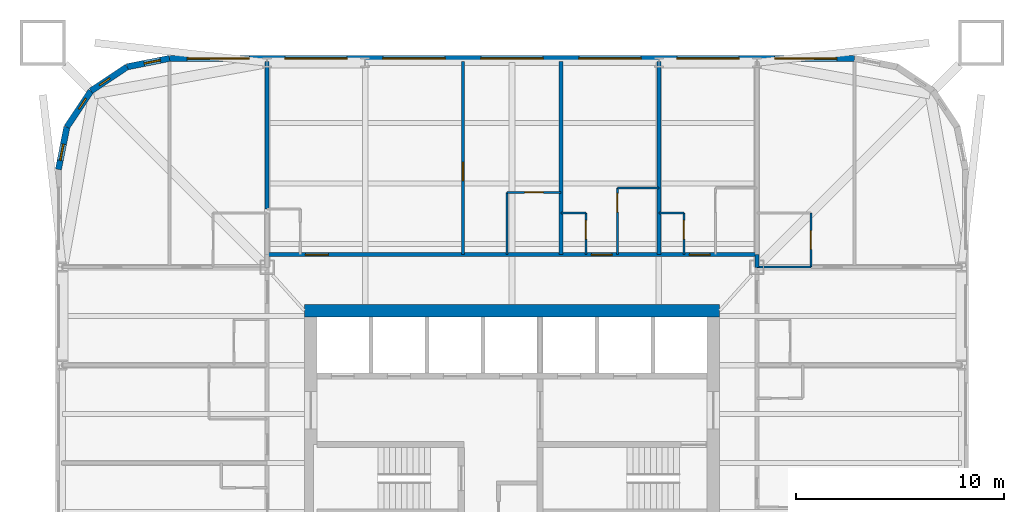
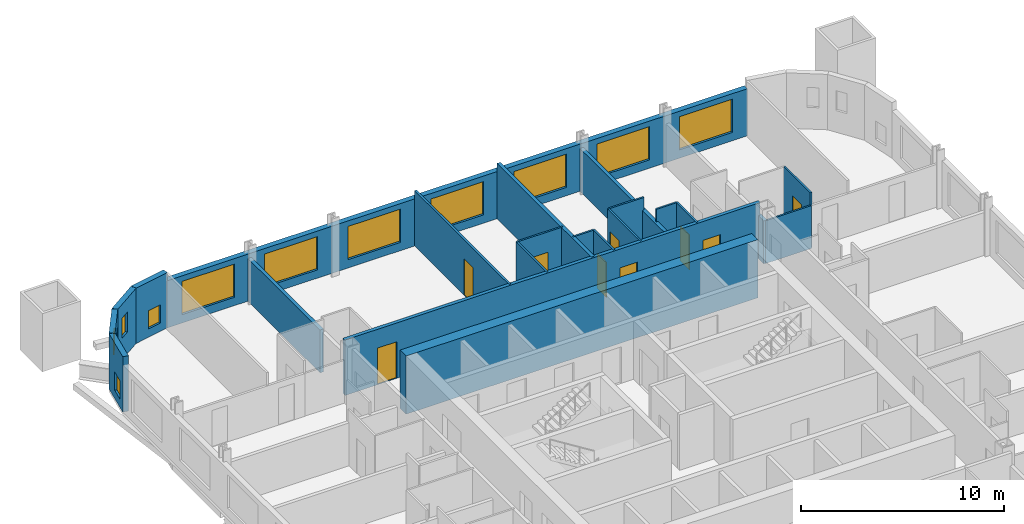
# One storey, part 7 of 9: 22 walls, 11 windows, 9 doors, 20 openings.
"""IFC4 building model written with IfcOpenShell, lengths in metres."""

from ifc_helpers import new_model, si_unit, direction, frame, frame_2d, origin, place, context, subcontext, project, spatial, rectangle, extrude, material, layer, layer_set, type_object, element, fill, save


model = new_model("IFC4")

# Units and contexts
model_context = context("Model", 3, precision=1e-05, world=origin(), true_north=direction((0.0, 1.0)))
body_context = subcontext(model_context, "Body", "Model", "MODEL_VIEW")
ifc_project = project(units=[si_unit("LENGTHUNIT", "METRE"), si_unit("AREAUNIT", "SQUARE_METRE"), si_unit("VOLUMEUNIT", "CUBIC_METRE"), si_unit("PLANEANGLEUNIT", "RADIAN"), si_unit("MASSUNIT", "GRAM", prefix="KILO")], contexts=[model_context])

# Site, building, storey
site_placement = place(None, origin())
site = spatial("IfcSite", under=ifc_project, at=site_placement, CompositionType="ELEMENT")
building_placement = place(site_placement, origin())
building = spatial("IfcBuilding", under=site, at=building_placement, Name="Turquesa Mirador Hotel Tower", CompositionType="ELEMENT")
storey_placement = place(building_placement, frame((0.0, 0.0, 28.5)))
storey = spatial("IfcBuildingStorey", under=building, at=storey_placement, Name="L06", CompositionType="ELEMENT", Elevation=28.5)

# Walls
ifc_material_1 = material(Name="Gypsum board on steel studs", Category="steel")
ifc_layer_1 = layer(ifc_material_1, 0.10009765625)
ifc_layer_set_1 = layer_set([ifc_layer_1], Name="BATHROOM WALL 100")
wall_type_1 = type_object("IfcWallType", Name="BATHROOM WALL 100", PredefinedType="PARTITIONING", material=ifc_layer_set_1)
wall_1_placement = place(storey_placement, frame((66.800048828125, 56.800048828125, 0.0), z_axis=(0.0, 0.0, 1.0), x_axis=(1.0, 0.0, 0.0)))
element("IfcWall", 1, at=wall_1_placement, inside=storey, type_object=wall_type_1, Name="Partition L06 025", PredefinedType="PARTITIONING", context=body_context, shape_type="SweptSolid", body=[
    extrude(rectangle(XDim=2.599853515625, YDim=0.10009765625, at=frame_2d((1.2998046875, 0.0))), origin(), (0.0, 0.0, 1.0), 2.572998046875),
])
for number, where, z_axis, x_axis, name in (
    (2, (57.360107421875, 59.39990234375, 0.0), (0.0, 0.0, 1.0), (1.0, 0.0, 0.0), "Partition L06 030"),
    (3, (62.080078125, 59.39990234375, 0.0), (0.0, 0.0, 1.0), (1.0, 0.0, 0.0), "Partition L06 031"),
):
    element("IfcWall", number, at=place(storey_placement, frame(where, z_axis=z_axis, x_axis=x_axis)), inside=storey, type_object=wall_type_1, Name=name, PredefinedType="PARTITIONING", context=body_context, shape_type="SweptSolid", body=[
        extrude(rectangle(XDim=1.199951171875, YDim=0.10009765625, at=frame_2d((0.60009765625, 0.0))), origin(), (0.0, 0.0, 1.0), 3.330078125),
    ])

# Wall, opening, door
wall_2_placement = place(storey_placement, frame((54.760009765625, 60.39990234375, 0.0), z_axis=(0.0, 0.0, 1.0), x_axis=(1.0, 0.0, 0.0)))
wall_2 = element("IfcWall", 4, at=wall_2_placement, inside=storey, type_object=wall_type_1, Name="Partition L06 034", PredefinedType="PARTITIONING", context=body_context, shape_type="SweptSolid", body=[
    extrude(rectangle(XDim=2.60009765625, YDim=0.10009765625, at=frame_2d((1.300048828125, 0.0))), origin(), (0.0, 0.0, 1.0), 3.330078125),
])
opening_1_placement = place(wall_2_placement, frame((0.85009765625, 0.0, 0.0)))
opening_1 = element("IfcOpeningElement", 5, at=opening_1_placement, cuts=wall_2, Name="Opening D02", PredefinedType="OPENING", context=body_context, shape_type="SweptSolid", body=[
    extrude(rectangle(XDim=0.89990234375, YDim=2.10009765625, at=frame_2d((0.449951171875, 1.050048828125))), frame((0.0, 0.06005859375, 0.0), z_axis=(0.0, -1.0, 0.0), x_axis=(1.0, 0.0, 0.0)), (0.0, 0.0, 1.0), 0.1201171875),
])
ifc_material_2 = material(Name="Timber veneered door", Category="wood")
door_type_1 = type_object("IfcDoorType", Name="DOOR 900X2100 EN-SUITE", OperationType="SINGLE_SWING_RIGHT", PredefinedType="DOOR", material=ifc_material_2)
door_1_placement = place(opening_1_placement, origin())
door_1 = element("IfcDoor", 6, at=door_1_placement, inside=storey, type_object=door_type_1, Name="Door 0601B", OperationType="SINGLE_SWING_RIGHT", OverallHeight=2.10009765625, OverallWidth=0.89990234375, PredefinedType="DOOR", context=body_context, shape_type="SweptSolid", body=[
    extrude(rectangle(XDim=0.89990234375, YDim=2.10009765625, at=frame_2d((0.449951171875, 1.050048828125))), frame((0.0, 0.02490234375, 0.0), z_axis=(0.0, -1.0, 0.0), x_axis=(1.0, 0.0, 0.0)), (0.0, 0.0, 1.0), 0.050048828125),
])
fill(opening_1, door_1)

# Walls
wall_3_placement = place(storey_placement, frame((60.080078125, 60.60009765625, 0.0), z_axis=(0.0, 0.0, 1.0), x_axis=(1.0, 0.0, 0.0)))
element("IfcWall", 7, at=wall_3_placement, inside=storey, type_object=wall_type_1, Name="Partition L06 035", PredefinedType="PARTITIONING", context=body_context, shape_type="SweptSolid", body=[
    extrude(rectangle(XDim=2.0, YDim=0.10009765625, at=frame_2d((1.0, 0.0))), origin(), (0.0, 0.0, 1.0), 3.330078125),
])
wall_4_placement = place(storey_placement, frame((54.760009765625, 57.39990234375, 0.0), z_axis=(0.0, 0.0, 1.0), x_axis=(0.0, 1.0, 0.0)))
element("IfcWall", 8, at=wall_4_placement, inside=storey, type_object=wall_type_1, Name="Partition L06 045", PredefinedType="PARTITIONING", context=body_context, shape_type="SweptSolid", body=[
    extrude(rectangle(XDim=3.0, YDim=0.10009765625, at=frame_2d((1.5, 0.0))), origin(), (0.0, 0.0, 1.0), 3.330078125),
])

# Wall, opening, door
wall_5_placement = place(storey_placement, frame((69.39990234375, 56.800048828125, 0.0), z_axis=(0.0, 0.0, 1.0), x_axis=(0.0, 1.0, 0.0)))
wall_5 = element("IfcWall", 9, at=wall_5_placement, inside=storey, type_object=wall_type_1, Name="Partition L06 073", PredefinedType="PARTITIONING", context=body_context, shape_type="SweptSolid", body=[
    extrude(rectangle(XDim=2.599853515625, YDim=0.10009765625, at=frame_2d((1.2998046875, 0.0))), origin(), (0.0, 0.0, 1.0), 3.330078125),
])
opening_2_placement = place(wall_5_placement, frame((0.85009765625, 0.0, 0.0)))
opening_2 = element("IfcOpeningElement", 10, at=opening_2_placement, cuts=wall_5, Name="Opening D02", PredefinedType="OPENING", context=body_context, shape_type="SweptSolid", body=[
    extrude(rectangle(XDim=0.89990234375, YDim=2.10009765625, at=frame_2d((0.449951171875, 1.050048828125))), frame((0.0, 0.06005859375, 0.0), z_axis=(0.0, -1.0, 0.0), x_axis=(1.0, 0.0, 0.0)), (0.0, 0.0, 1.0), 0.1201171875),
])
door_2_placement = place(opening_2_placement, origin())
door_2 = element("IfcDoor", 11, at=door_2_placement, inside=storey, type_object=door_type_1, Name="Door 0612B", OperationType="SINGLE_SWING_RIGHT", OverallHeight=2.10009765625, OverallWidth=0.89990234375, PredefinedType="DOOR", context=body_context, shape_type="SweptSolid", body=[
    extrude(rectangle(XDim=0.89990234375, YDim=2.10009765625, at=frame_2d((0.449951171875, 1.050048828125))), frame((0.0, 0.02490234375, 0.0), z_axis=(0.0, -1.0, 0.0), x_axis=(1.0, 0.0, 0.0)), (0.0, 0.0, 1.0), 0.050048828125),
])
fill(opening_2, door_2)

wall_6_placement = place(storey_placement, frame((58.56005859375, 57.39990234375, 0.0), z_axis=(0.0, 0.0, 1.0), x_axis=(0.0, 1.0, 0.0)))
wall_6 = element("IfcWall", 12, at=wall_6_placement, inside=storey, type_object=wall_type_1, Name="Partition L06 080", PredefinedType="PARTITIONING", context=body_context, shape_type="SweptSolid", body=[
    extrude(rectangle(XDim=2.0, YDim=0.10009765625, at=frame_2d((1.0, 0.0))), origin(), (0.0, 0.0, 1.0), 3.330078125),
])
opening_3_placement = place(wall_6_placement, frame((0.75, 0.0, 0.0)))
opening_3 = element("IfcOpeningElement", 13, at=opening_3_placement, cuts=wall_6, Name="Opening D06", PredefinedType="OPENING", context=body_context, shape_type="SweptSolid", body=[
    extrude(rectangle(XDim=0.89990234375, YDim=2.10009765625, at=frame_2d((0.449951171875, 1.050048828125))), frame((0.0, 0.06005859375, 0.0), z_axis=(0.0, -1.0, 0.0), x_axis=(1.0, 0.0, 0.0)), (0.0, 0.0, 1.0), 0.1201171875),
])
ifc_material_3 = material(Name="Laminate door", Category="wood")
door_type_2 = type_object("IfcDoorType", Name="DOOR 900X2100 WC", OperationType="SINGLE_SWING_LEFT", PredefinedType="DOOR", material=ifc_material_3)
door_3_placement = place(opening_3_placement, origin())
door_3 = element("IfcDoor", 14, at=door_3_placement, inside=storey, type_object=door_type_2, Name="Door 0602W", OperationType="SINGLE_SWING_LEFT", OverallHeight=2.10009765625, OverallWidth=0.89990234375, PredefinedType="DOOR", context=body_context, shape_type="SweptSolid", body=[
    extrude(rectangle(XDim=0.89990234375, YDim=2.10009765625, at=frame_2d((0.449951171875, 1.050048828125))), frame((0.0, 0.02490234375, 0.0), z_axis=(0.0, -1.0, 0.0), x_axis=(1.0, 0.0, 0.0)), (0.0, 0.0, 1.0), 0.050048828125),
])
fill(opening_3, door_3)

wall_7_placement = place(storey_placement, frame((60.080078125, 57.39990234375, 0.0), z_axis=(0.0, 0.0, 1.0), x_axis=(0.0, 1.0, 0.0)))
wall_7 = element("IfcWall", 15, at=wall_7_placement, inside=storey, type_object=wall_type_1, Name="Partition L06 082", PredefinedType="PARTITIONING", context=body_context, shape_type="SweptSolid", body=[
    extrude(rectangle(XDim=3.2001953125, YDim=0.10009765625, at=frame_2d((1.60009765625, 0.0))), origin(), (0.0, 0.0, 1.0), 3.330078125),
])
opening_4_placement = place(wall_7_placement, frame((2.050048828125, 0.0, 0.0)))
opening_4 = element("IfcOpeningElement", 16, at=opening_4_placement, cuts=wall_7, Name="Opening D02", PredefinedType="OPENING", context=body_context, shape_type="SweptSolid", body=[
    extrude(rectangle(XDim=0.89990234375, YDim=2.10009765625, at=frame_2d((0.449951171875, 1.050048828125))), frame((0.0, 0.06005859375, 0.0), z_axis=(0.0, -1.0, 0.0), x_axis=(1.0, 0.0, 0.0)), (0.0, 0.0, 1.0), 0.1201171875),
])
door_4_placement = place(opening_4_placement, origin())
door_4 = element("IfcDoor", 17, at=door_4_placement, inside=storey, type_object=door_type_1, Name="Door 0602B", OperationType="SINGLE_SWING_RIGHT", OverallHeight=2.10009765625, OverallWidth=0.89990234375, PredefinedType="DOOR", context=body_context, shape_type="SweptSolid", body=[
    extrude(rectangle(XDim=0.89990234375, YDim=2.10009765625, at=frame_2d((0.449951171875, 1.050048828125))), frame((0.0, 0.02490234375, 0.0), z_axis=(0.0, -1.0, 0.0), x_axis=(1.0, 0.0, 0.0)), (0.0, 0.0, 1.0), 0.050048828125),
])
fill(opening_4, door_4)

wall_8_placement = place(storey_placement, frame((63.280029296875, 57.39990234375, 0.0), z_axis=(0.0, 0.0, 1.0), x_axis=(0.0, 1.0, 0.0)))
wall_8 = element("IfcWall", 18, at=wall_8_placement, inside=storey, type_object=wall_type_1, Name="Partition L06 085", PredefinedType="PARTITIONING", context=body_context, shape_type="SweptSolid", body=[
    extrude(rectangle(XDim=2.0, YDim=0.10009765625, at=frame_2d((1.0, 0.0))), origin(), (0.0, 0.0, 1.0), 3.330078125),
])
opening_5_placement = place(wall_8_placement, frame((0.75, 0.0, 0.0)))
opening_5 = element("IfcOpeningElement", 19, at=opening_5_placement, cuts=wall_8, Name="Opening D06", PredefinedType="OPENING", context=body_context, shape_type="SweptSolid", body=[
    extrude(rectangle(XDim=0.89990234375, YDim=2.10009765625, at=frame_2d((0.449951171875, 1.050048828125))), frame((0.0, 0.06005859375, 0.0), z_axis=(0.0, -1.0, 0.0), x_axis=(1.0, 0.0, 0.0)), (0.0, 0.0, 1.0), 0.1201171875),
])
door_5_placement = place(opening_5_placement, origin())
door_5 = element("IfcDoor", 20, at=door_5_placement, inside=storey, type_object=door_type_2, Name="Door 0603W", OperationType="SINGLE_SWING_LEFT", OverallHeight=2.10009765625, OverallWidth=0.89990234375, PredefinedType="DOOR", context=body_context, shape_type="SweptSolid", body=[
    extrude(rectangle(XDim=0.89990234375, YDim=2.10009765625, at=frame_2d((0.449951171875, 1.050048828125))), frame((0.0, 0.02490234375, 0.0), z_axis=(0.0, -1.0, 0.0), x_axis=(1.0, 0.0, 0.0)), (0.0, 0.0, 1.0), 0.050048828125),
])
fill(opening_5, door_5)

# Wall
ifc_material_4 = material(Name="Concrete C50/60", Category="concrete")
ifc_layer_2 = layer(ifc_material_4, 0.60009765625)
ifc_layer_set_2 = layer_set([ifc_layer_2], Name="CORE WALL 600")
wall_type_2 = type_object("IfcWallType", Name="CORE WALL 600", PredefinedType="SHEAR", material=ifc_layer_set_2)
wall_9_placement = place(storey_placement, frame((45.0, 54.699951171875, 0.0), z_axis=(0.0, 0.0, 1.0), x_axis=(1.0, 0.0, 0.0)))
element("IfcWall", 21, at=wall_9_placement, inside=storey, type_object=wall_type_2, Name="Core wall N", PredefinedType="SHEAR", context=body_context, shape_type="SweptSolid", body=[
    extrude(rectangle(XDim=20.0, YDim=0.60009765625, at=frame_2d((10.0, 0.0))), origin(), (0.0, 0.0, 1.0), 3.5),
])

# Wall, openings, doors
ifc_material_5 = material(Name="Fire-rated gypsum board on steel studs", Category="steel")
ifc_layer_3 = layer(ifc_material_5, 0.199951171875)
ifc_layer_set_3 = layer_set([ifc_layer_3], Name="CORRIDOR WALL 200")
wall_type_3 = type_object("IfcWallType", Name="CORRIDOR WALL 200", PredefinedType="PARTITIONING", material=ifc_layer_set_3)
wall_10_placement = place(storey_placement, frame((43.199951171875, 57.39990234375, 0.0), z_axis=(0.0, 0.0, 1.0), x_axis=(1.0, 0.0, 0.0)))
wall_10 = element("IfcWall", 22, at=wall_10_placement, inside=storey, type_object=wall_type_3, Name="Partition L06 028", PredefinedType="PARTITIONING", context=body_context, shape_type="SweptSolid", body=[
    extrude(rectangle(XDim=23.60009765625, YDim=0.199951171875, at=frame_2d((11.800048828125, 0.0))), origin(), (0.0, 0.0, 1.0), 3.330078125),
])
opening_6_placement = place(wall_10_placement, frame((1.85009765625, 0.0, 0.0)))
opening_6 = element("IfcOpeningElement", 23, at=opening_6_placement, cuts=wall_10, Name="Opening D15", PredefinedType="OPENING", context=body_context, shape_type="SweptSolid", body=[
    extrude(rectangle(XDim=1.10009765625, YDim=2.199951171875, at=frame_2d((0.550048828125, 1.10009765625))), frame((0.0, 0.10986328125, 0.0), z_axis=(0.0, -1.0, 0.0), x_axis=(1.0, 0.0, 0.0)), (0.0, 0.0, 1.0), 0.219970703125),
])
opening_7_placement = place(wall_10_placement, frame((15.6201171875, 0.0, 0.0)))
opening_7 = element("IfcOpeningElement", 24, at=opening_7_placement, cuts=wall_10, Name="Opening D01", PredefinedType="OPENING", context=body_context, shape_type="SweptSolid", body=[
    extrude(rectangle(XDim=1.0, YDim=2.199951171875, at=frame_2d((0.5, 1.10009765625))), frame((0.0, 0.10986328125, 0.0), z_axis=(0.0, -1.0, 0.0), x_axis=(1.0, 0.0, 0.0)), (0.0, 0.0, 1.0), 0.219970703125),
])
opening_8_placement = place(wall_10_placement, frame((20.340087890625, 0.0, 0.0)))
opening_8 = element("IfcOpeningElement", 25, at=opening_8_placement, cuts=wall_10, Name="Opening D01", PredefinedType="OPENING", context=body_context, shape_type="SweptSolid", body=[
    extrude(rectangle(XDim=1.0, YDim=2.199951171875, at=frame_2d((0.5, 1.10009765625))), frame((0.0, 0.10986328125, 0.0), z_axis=(0.0, -1.0, 0.0), x_axis=(1.0, 0.0, 0.0)), (0.0, 0.0, 1.0), 0.219970703125),
])
ifc_material_6 = material(Name="Timber veneered fire door", Category="wood")
door_type_3 = type_object("IfcDoorType", Name="DOOR 1000X2200 GUEST ENTRY", OperationType="SINGLE_SWING_LEFT", PredefinedType="DOOR", material=ifc_material_6)
door_6_placement = place(opening_7_placement, origin())
door_6 = element("IfcDoor", 26, at=door_6_placement, inside=storey, type_object=door_type_3, Name="Door 0602", OperationType="SINGLE_SWING_LEFT", OverallHeight=2.199951171875, OverallWidth=1.0, PredefinedType="DOOR", context=body_context, shape_type="SweptSolid", body=[
    extrude(rectangle(XDim=1.0, YDim=2.199951171875, at=frame_2d((0.5, 1.10009765625))), frame((0.0, 0.02490234375, 0.0), z_axis=(0.0, -1.0, 0.0), x_axis=(1.0, 0.0, 0.0)), (0.0, 0.0, 1.0), 0.050048828125),
])
fill(opening_7, door_6)
door_7_placement = place(opening_8_placement, origin())
door_7 = element("IfcDoor", 27, at=door_7_placement, inside=storey, type_object=door_type_3, Name="Door 0603", OperationType="SINGLE_SWING_LEFT", OverallHeight=2.199951171875, OverallWidth=1.0, PredefinedType="DOOR", context=body_context, shape_type="SweptSolid", body=[
    extrude(rectangle(XDim=1.0, YDim=2.199951171875, at=frame_2d((0.5, 1.10009765625))), frame((0.0, 0.02490234375, 0.0), z_axis=(0.0, -1.0, 0.0), x_axis=(1.0, 0.0, 0.0)), (0.0, 0.0, 1.0), 0.050048828125),
])
fill(opening_8, door_7)
ifc_material_7 = material(Name="Timber veneered fire door", Category="wood")
door_type_4 = type_object("IfcDoorType", Name="DOOR 1100X2200 SUITE ENTRY", OperationType="SINGLE_SWING_LEFT", PredefinedType="DOOR", material=ifc_material_7)
door_8_placement = place(opening_6_placement, origin())
door_8 = element("IfcDoor", 28, at=door_8_placement, inside=storey, type_object=door_type_4, Name="Door 0601", OperationType="SINGLE_SWING_LEFT", OverallHeight=2.199951171875, OverallWidth=1.10009765625, PredefinedType="DOOR", context=body_context, shape_type="SweptSolid", body=[
    extrude(rectangle(XDim=1.10009765625, YDim=2.199951171875, at=frame_2d((0.550048828125, 1.10009765625))), frame((0.0, 0.02490234375, 0.0), z_axis=(0.0, -1.0, 0.0), x_axis=(1.0, 0.0, 0.0)), (0.0, 0.0, 1.0), 0.050048828125),
])
fill(opening_6, door_8)

# Wall
wall_11_placement = place(storey_placement, frame((66.800048828125, 56.780029296875, 0.0), z_axis=(0.0, 0.0, 1.0), x_axis=(0.0, 1.0, 0.0)))
element("IfcWall", 29, at=wall_11_placement, inside=storey, type_object=wall_type_3, Name="Partition L06 091", PredefinedType="PARTITIONING", context=body_context, shape_type="SweptSolid", body=[
    extrude(rectangle(XDim=0.619873046875, YDim=0.199951171875, at=frame_2d((0.31005859375, 0.0))), origin(), (0.0, 0.0, 1.0), 2.572998046875),
])

# Wall, openings, windows
ifc_material_8 = material(Name="Limestone cladding on concrete block", Category="masonry")
ifc_layer_4 = layer(ifc_material_8, 0.300048828125)
ifc_layer_set_4 = layer_set([ifc_layer_4], Name="FACADE WALL 300 STONE SCREEN")
wall_type_4 = type_object("IfcWallType", Name="FACADE WALL 300 STONE SCREEN", PredefinedType="SOLIDWALL", material=ifc_layer_set_4)
wall_12_placement = place(storey_placement, frame((71.5, 66.85009765625, 0.0), z_axis=(0.0, 0.0, 1.0), x_axis=(-1.0, 0.0, 0.0)))
wall_12 = element("IfcWall", 30, at=wall_12_placement, inside=storey, type_object=wall_type_4, Name="Facade wall L06 09", PredefinedType="SOLIDWALL", context=body_context, shape_type="SweptSolid", body=[
    extrude(rectangle(XDim=33.0, YDim=0.300048828125, at=frame_2d((16.5, 0.0))), origin(), (0.0, 0.0, 1.0), 2.830078125),
])
opening_9_placement = place(wall_12_placement, frame((0.85009765625, 0.0, 0.5)))
opening_9 = element("IfcOpeningElement", 31, at=opening_9_placement, cuts=wall_12, Name="Opening WN1", PredefinedType="OPENING", context=body_context, shape_type="SweptSolid", body=[
    extrude(rectangle(XDim=3.0, YDim=2.0, at=frame_2d((1.5, 1.0))), frame((0.0, 0.159912109375, 0.0), z_axis=(0.0, -1.0, 0.0), x_axis=(1.0, 0.0, 0.0)), (0.0, 0.0, 1.0), 0.320068359375),
])
opening_10_placement = place(wall_12_placement, frame((5.56005859375, 0.0, 0.5)))
opening_10 = element("IfcOpeningElement", 32, at=opening_10_placement, cuts=wall_12, Name="Opening WN1", PredefinedType="OPENING", context=body_context, shape_type="SweptSolid", body=[
    extrude(rectangle(XDim=3.0, YDim=2.0, at=frame_2d((1.5, 1.0))), frame((0.0, 0.159912109375, 0.0), z_axis=(0.0, -1.0, 0.0), x_axis=(1.0, 0.0, 0.0)), (0.0, 0.0, 1.0), 0.320068359375),
])
opening_11_placement = place(wall_12_placement, frame((10.280029296875, 0.0, 0.5)))
opening_11 = element("IfcOpeningElement", 33, at=opening_11_placement, cuts=wall_12, Name="Opening WN1", PredefinedType="OPENING", context=body_context, shape_type="SweptSolid", body=[
    extrude(rectangle(XDim=3.0, YDim=2.0, at=frame_2d((1.5, 1.0))), frame((0.0, 0.159912109375, 0.0), z_axis=(0.0, -1.0, 0.0), x_axis=(1.0, 0.0, 0.0)), (0.0, 0.0, 1.0), 0.320068359375),
])
opening_12_placement = place(wall_12_placement, frame((15.0, 0.0, 0.5)))
opening_12 = element("IfcOpeningElement", 34, at=opening_12_placement, cuts=wall_12, Name="Opening WN1", PredefinedType="OPENING", context=body_context, shape_type="SweptSolid", body=[
    extrude(rectangle(XDim=3.0, YDim=2.0, at=frame_2d((1.5, 1.0))), frame((0.0, 0.159912109375, 0.0), z_axis=(0.0, -1.0, 0.0), x_axis=(1.0, 0.0, 0.0)), (0.0, 0.0, 1.0), 0.320068359375),
])
opening_13_placement = place(wall_12_placement, frame((19.719970703125, 0.0, 0.5)))
opening_13 = element("IfcOpeningElement", 35, at=opening_13_placement, cuts=wall_12, Name="Opening WN1", PredefinedType="OPENING", context=body_context, shape_type="SweptSolid", body=[
    extrude(rectangle(XDim=3.0, YDim=2.0, at=frame_2d((1.5, 1.0))), frame((0.0, 0.159912109375, 0.0), z_axis=(0.0, -1.0, 0.0), x_axis=(1.0, 0.0, 0.0)), (0.0, 0.0, 1.0), 0.320068359375),
])
opening_14_placement = place(wall_12_placement, frame((24.43994140625, 0.0, 0.5)))
opening_14 = element("IfcOpeningElement", 36, at=opening_14_placement, cuts=wall_12, Name="Opening WN1", PredefinedType="OPENING", context=body_context, shape_type="SweptSolid", body=[
    extrude(rectangle(XDim=3.0, YDim=2.0, at=frame_2d((1.5, 1.0))), frame((0.0, 0.159912109375, 0.0), z_axis=(0.0, -1.0, 0.0), x_axis=(1.0, 0.0, 0.0)), (0.0, 0.0, 1.0), 0.320068359375),
])
opening_15_placement = place(wall_12_placement, frame((29.14990234375, 0.0, 0.5)))
opening_15 = element("IfcOpeningElement", 37, at=opening_15_placement, cuts=wall_12, Name="Opening WN1", PredefinedType="OPENING", context=body_context, shape_type="SweptSolid", body=[
    extrude(rectangle(XDim=3.0, YDim=2.0, at=frame_2d((1.5, 1.0))), frame((0.0, 0.159912109375, 0.0), z_axis=(0.0, -1.0, 0.0), x_axis=(1.0, 0.0, 0.0)), (0.0, 0.0, 1.0), 0.320068359375),
])
ifc_material_9 = material(Name="Ceramic-fritted laminated glass", Category="glass")
window_type_1 = type_object("IfcWindowType", Name="FRITTED WINDOW 3000X2000", PartitioningType="DOUBLE_PANEL_HORIZONTAL", PredefinedType="WINDOW", material=ifc_material_9)
window_1_placement = place(opening_9_placement, origin())
window_1 = element("IfcWindow", 38, at=window_1_placement, inside=storey, type_object=window_type_1, Name="Window L06", OverallHeight=2.0, OverallWidth=3.0, PartitioningType="SINGLE_PANEL", PredefinedType="WINDOW", context=body_context, shape_type="SweptSolid", body=[
    extrude(rectangle(XDim=3.0, YDim=2.0, at=frame_2d((1.5, 1.0))), frame((0.0, 0.030029296875, 0.0), z_axis=(0.0, -1.0, 0.0), x_axis=(1.0, 0.0, 0.0)), (0.0, 0.0, 1.0), 0.06005859375),
])
fill(opening_9, window_1)
window_2_placement = place(opening_10_placement, origin())
window_2 = element("IfcWindow", 39, at=window_2_placement, inside=storey, type_object=window_type_1, Name="Window L06", OverallHeight=2.0, OverallWidth=3.0, PartitioningType="SINGLE_PANEL", PredefinedType="WINDOW", context=body_context, shape_type="SweptSolid", body=[
    extrude(rectangle(XDim=3.0, YDim=2.0, at=frame_2d((1.5, 1.0))), frame((0.0, 0.030029296875, 0.0), z_axis=(0.0, -1.0, 0.0), x_axis=(1.0, 0.0, 0.0)), (0.0, 0.0, 1.0), 0.06005859375),
])
fill(opening_10, window_2)
window_3_placement = place(opening_11_placement, origin())
window_3 = element("IfcWindow", 40, at=window_3_placement, inside=storey, type_object=window_type_1, Name="Window L06", OverallHeight=2.0, OverallWidth=3.0, PartitioningType="SINGLE_PANEL", PredefinedType="WINDOW", context=body_context, shape_type="SweptSolid", body=[
    extrude(rectangle(XDim=3.0, YDim=2.0, at=frame_2d((1.5, 1.0))), frame((0.0, 0.030029296875, 0.0), z_axis=(0.0, -1.0, 0.0), x_axis=(1.0, 0.0, 0.0)), (0.0, 0.0, 1.0), 0.06005859375),
])
fill(opening_11, window_3)
window_4_placement = place(opening_12_placement, origin())
window_4 = element("IfcWindow", 41, at=window_4_placement, inside=storey, type_object=window_type_1, Name="Window L06", OverallHeight=2.0, OverallWidth=3.0, PartitioningType="SINGLE_PANEL", PredefinedType="WINDOW", context=body_context, shape_type="SweptSolid", body=[
    extrude(rectangle(XDim=3.0, YDim=2.0, at=frame_2d((1.5, 1.0))), frame((0.0, 0.030029296875, 0.0), z_axis=(0.0, -1.0, 0.0), x_axis=(1.0, 0.0, 0.0)), (0.0, 0.0, 1.0), 0.06005859375),
])
fill(opening_12, window_4)
window_5_placement = place(opening_13_placement, origin())
window_5 = element("IfcWindow", 42, at=window_5_placement, inside=storey, type_object=window_type_1, Name="Window L06", OverallHeight=2.0, OverallWidth=3.0, PartitioningType="SINGLE_PANEL", PredefinedType="WINDOW", context=body_context, shape_type="SweptSolid", body=[
    extrude(rectangle(XDim=3.0, YDim=2.0, at=frame_2d((1.5, 1.0))), frame((0.0, 0.030029296875, 0.0), z_axis=(0.0, -1.0, 0.0), x_axis=(1.0, 0.0, 0.0)), (0.0, 0.0, 1.0), 0.06005859375),
])
fill(opening_13, window_5)
window_6_placement = place(opening_14_placement, origin())
window_6 = element("IfcWindow", 43, at=window_6_placement, inside=storey, type_object=window_type_1, Name="Window L06", OverallHeight=2.0, OverallWidth=3.0, PartitioningType="SINGLE_PANEL", PredefinedType="WINDOW", context=body_context, shape_type="SweptSolid", body=[
    extrude(rectangle(XDim=3.0, YDim=2.0, at=frame_2d((1.5, 1.0))), frame((0.0, 0.030029296875, 0.0), z_axis=(0.0, -1.0, 0.0), x_axis=(1.0, 0.0, 0.0)), (0.0, 0.0, 1.0), 0.06005859375),
])
fill(opening_14, window_6)
window_7_placement = place(opening_15_placement, origin())
window_7 = element("IfcWindow", 44, at=window_7_placement, inside=storey, type_object=window_type_1, Name="Window L06", OverallHeight=2.0, OverallWidth=3.0, PartitioningType="SINGLE_PANEL", PredefinedType="WINDOW", context=body_context, shape_type="SweptSolid", body=[
    extrude(rectangle(XDim=3.0, YDim=2.0, at=frame_2d((1.5, 1.0))), frame((0.0, 0.030029296875, 0.0), z_axis=(0.0, -1.0, 0.0), x_axis=(1.0, 0.0, 0.0)), (0.0, 0.0, 1.0), 0.06005859375),
])
fill(opening_15, window_7)

# Wall, opening, window
wall_13_placement = place(storey_placement, frame((38.5, 66.85009765625, 0.0), z_axis=(0.0, 0.0, 1.0), x_axis=(-0.980787050784, -0.195081421501, 0.0)))
wall_13 = element("IfcWall", 45, at=wall_13_placement, inside=storey, type_object=wall_type_4, Name="Facade wall L06 10", PredefinedType="SOLIDWALL", context=body_context, shape_type="SweptSolid", body=[
    extrude(rectangle(XDim=2.08740234375, YDim=0.300048828125, at=frame_2d((1.043701171875, 0.0))), origin(), (0.0, 0.0, 1.0), 3.330078125),
])
opening_16_placement = place(wall_13_placement, frame((0.443603515625, 0.0, 0.5)))
opening_16 = element("IfcOpeningElement", 46, at=opening_16_placement, cuts=wall_13, Name="Opening WN19", PredefinedType="OPENING", context=body_context, shape_type="SweptSolid", body=[
    extrude(rectangle(XDim=0.800048828125, YDim=1.10009765625, at=frame_2d((0.39990234375, 0.550048828125))), frame((0.0, 0.159912109375, 0.0), z_axis=(0.0, -1.0, 0.0), x_axis=(1.0, 0.0, 0.0)), (0.0, 0.0, 1.0), 0.320068359375),
])
ifc_material_10 = material(Name="Ceramic-fritted laminated glass", Category="glass")
window_type_2 = type_object("IfcWindowType", Name="FRITTED CORNER WINDOW 800X1100", PartitioningType="DOUBLE_PANEL_HORIZONTAL", PredefinedType="WINDOW", material=ifc_material_10)
window_8_placement = place(opening_16_placement, origin())
window_8 = element("IfcWindow", 47, at=window_8_placement, inside=storey, type_object=window_type_2, Name="Window L06", OverallHeight=1.10009765625, OverallWidth=0.800048828125, PartitioningType="SINGLE_PANEL", PredefinedType="WINDOW", context=body_context, shape_type="SweptSolid", body=[
    extrude(rectangle(XDim=0.800048828125, YDim=1.10009765625, at=frame_2d((0.39990234375, 0.550048828125))), frame((0.0, 0.030029296875, 0.0), z_axis=(0.0, -1.0, 0.0), x_axis=(1.0, 0.0, 0.0)), (0.0, 0.0, 1.0), 0.06005859375),
])
fill(opening_16, window_8)

wall_14_placement = place(storey_placement, frame((36.45263671875, 66.44287109375, 0.0), z_axis=(0.0, 0.0, 1.0), x_axis=(-0.831420010345, -0.555644460423, 0.0)))
wall_14 = element("IfcWall", 48, at=wall_14_placement, inside=storey, type_object=wall_type_4, Name="Facade wall L06 11", PredefinedType="SOLIDWALL", context=body_context, shape_type="SweptSolid", body=[
    extrude(rectangle(XDim=2.08740234375, YDim=0.300048828125, at=frame_2d((1.043701171875, 0.0))), origin(), (0.0, 0.0, 1.0), 3.330078125),
])
opening_17_placement = place(wall_14_placement, frame((0.99365234375, 0.0, 1.300048828125)))
opening_17 = element("IfcOpeningElement", 49, at=opening_17_placement, cuts=wall_14, Name="Opening WN13", PredefinedType="OPENING", context=body_context, shape_type="SweptSolid", body=[
    extrude(rectangle(XDim=0.60009765625, YDim=1.199951171875, at=frame_2d((0.300048828125, 0.60009765625))), frame((0.0, 0.159912109375, 0.0), z_axis=(0.0, -1.0, 0.0), x_axis=(1.0, 0.0, 0.0)), (0.0, 0.0, 1.0), 0.320068359375),
])
ifc_material_11 = material(Name="Ceramic-fritted laminated glass", Category="glass")
window_type_3 = type_object("IfcWindowType", Name="FRITTED CORNER WINDOW 600X1200", PartitioningType="DOUBLE_PANEL_HORIZONTAL", PredefinedType="WINDOW", material=ifc_material_11)
window_9_placement = place(opening_17_placement, origin())
window_9 = element("IfcWindow", 50, at=window_9_placement, inside=storey, type_object=window_type_3, Name="Window L06", OverallHeight=1.199951171875, OverallWidth=0.60009765625, PartitioningType="SINGLE_PANEL", PredefinedType="WINDOW", context=body_context, shape_type="SweptSolid", body=[
    extrude(rectangle(XDim=0.60009765625, YDim=1.199951171875, at=frame_2d((0.300048828125, 0.60009765625))), frame((0.0, 0.030029296875, 0.0), z_axis=(0.0, -1.0, 0.0), x_axis=(1.0, 0.0, 0.0)), (0.0, 0.0, 1.0), 0.06005859375),
])
fill(opening_17, window_9)

wall_15_placement = place(storey_placement, frame((34.717041015625, 65.282958984375, 0.0), z_axis=(0.0, 0.0, 1.0), x_axis=(-0.555644460423, -0.831420010345, 0.0)))
wall_15 = element("IfcWall", 51, at=wall_15_placement, inside=storey, type_object=wall_type_4, Name="Facade wall L06 12", PredefinedType="SOLIDWALL", context=body_context, shape_type="SweptSolid", body=[
    extrude(rectangle(XDim=2.08740234375, YDim=0.300048828125, at=frame_2d((1.043701171875, 0.0))), origin(), (0.0, 0.0, 1.0), 3.330078125),
])
opening_18_placement = place(wall_15_placement, frame((0.443603515625, 0.0, 1.300048828125)))
opening_18 = element("IfcOpeningElement", 52, at=opening_18_placement, cuts=wall_15, Name="Opening WN13", PredefinedType="OPENING", context=body_context, shape_type="SweptSolid", body=[
    extrude(rectangle(XDim=0.60009765625, YDim=1.199951171875, at=frame_2d((0.300048828125, 0.60009765625))), frame((0.0, 0.159912109375, 0.0), z_axis=(0.0, -1.0, 0.0), x_axis=(1.0, 0.0, 0.0)), (0.0, 0.0, 1.0), 0.320068359375),
])
window_10_placement = place(opening_18_placement, origin())
window_10 = element("IfcWindow", 53, at=window_10_placement, inside=storey, type_object=window_type_3, Name="Window L06", OverallHeight=1.199951171875, OverallWidth=0.60009765625, PartitioningType="SINGLE_PANEL", PredefinedType="WINDOW", context=body_context, shape_type="SweptSolid", body=[
    extrude(rectangle(XDim=0.60009765625, YDim=1.199951171875, at=frame_2d((0.300048828125, 0.60009765625))), frame((0.0, 0.030029296875, 0.0), z_axis=(0.0, -1.0, 0.0), x_axis=(1.0, 0.0, 0.0)), (0.0, 0.0, 1.0), 0.06005859375),
])
fill(opening_18, window_10)

wall_16_placement = place(storey_placement, frame((33.55712890625, 63.54736328125, 0.0), z_axis=(0.0, 0.0, 1.0), x_axis=(-0.195081421501, -0.980787050784, 0.0)))
wall_16 = element("IfcWall", 54, at=wall_16_placement, inside=storey, type_object=wall_type_4, Name="Facade wall L06 13", PredefinedType="SOLIDWALL", context=body_context, shape_type="SweptSolid", body=[
    extrude(rectangle(XDim=2.08740234375, YDim=0.300048828125, at=frame_2d((1.043701171875, 0.0))), origin(), (0.0, 0.0, 1.0), 3.330078125),
])
opening_19_placement = place(wall_16_placement, frame((0.84375, 0.0, 0.5)))
opening_19 = element("IfcOpeningElement", 55, at=opening_19_placement, cuts=wall_16, Name="Opening WN19", PredefinedType="OPENING", context=body_context, shape_type="SweptSolid", body=[
    extrude(rectangle(XDim=0.800048828125, YDim=1.10009765625, at=frame_2d((0.39990234375, 0.550048828125))), frame((0.0, 0.159912109375, 0.0), z_axis=(0.0, -1.0, 0.0), x_axis=(1.0, 0.0, 0.0)), (0.0, 0.0, 1.0), 0.320068359375),
])
window_11_placement = place(opening_19_placement, origin())
window_11 = element("IfcWindow", 56, at=window_11_placement, inside=storey, type_object=window_type_2, Name="Window L06", OverallHeight=1.10009765625, OverallWidth=0.800048828125, PartitioningType="SINGLE_PANEL", PredefinedType="WINDOW", context=body_context, shape_type="SweptSolid", body=[
    extrude(rectangle(XDim=0.800048828125, YDim=1.10009765625, at=frame_2d((0.39990234375, 0.550048828125))), frame((0.0, 0.030029296875, 0.0), z_axis=(0.0, -1.0, 0.0), x_axis=(1.0, 0.0, 0.0)), (0.0, 0.0, 1.0), 0.06005859375),
])
fill(opening_19, window_11)

# Walls
ifc_material_12 = material(Name="Fire-rated gypsum board on steel studs", Category="steel")
ifc_layer_5 = layer(ifc_material_12, 0.199951171875)
ifc_layer_set_5 = layer_set([ifc_layer_5], Name="PARTY WALL 200")
wall_type_5 = type_object("IfcWallType", Name="PARTY WALL 200", PredefinedType="PARTITIONING", material=ifc_layer_set_5)
wall_17_placement = place(storey_placement, frame((43.199951171875, 59.60009765625, 0.0), z_axis=(0.0, 0.0, 1.0), x_axis=(0.0, 1.0, 0.0)))
element("IfcWall", 57, at=wall_17_placement, inside=storey, type_object=wall_type_5, Name="Partition L06 052", PredefinedType="PARTITIONING", context=body_context, shape_type="SweptSolid", body=[
    extrude(rectangle(XDim=7.099853515625, YDim=0.199951171875, at=frame_2d((3.5498046875, 0.0))), origin(), (0.0, 0.0, 1.0), 2.572998046875),
])
wall_18_placement = place(storey_placement, frame((57.360107421875, 57.39990234375, 0.0), z_axis=(0.0, 0.0, 1.0), x_axis=(0.0, 1.0, 0.0)))
element("IfcWall", 58, at=wall_18_placement, inside=storey, type_object=wall_type_5, Name="Partition L06 079", PredefinedType="PARTITIONING", context=body_context, shape_type="SweptSolid", body=[
    extrude(rectangle(XDim=9.300048828125, YDim=0.199951171875, at=frame_2d((4.64990234375, 0.0))), origin(), (0.0, 0.0, 1.0), 3.330078125),
])
wall_19_placement = place(storey_placement, frame((62.080078125, 57.39990234375, 0.0), z_axis=(0.0, 0.0, 1.0), x_axis=(0.0, 1.0, 0.0)))
element("IfcWall", 59, at=wall_19_placement, inside=storey, type_object=wall_type_5, Name="Partition L06 084", PredefinedType="PARTITIONING", context=body_context, shape_type="SweptSolid", body=[
    extrude(rectangle(XDim=9.300048828125, YDim=0.199951171875, at=frame_2d((4.64990234375, 0.0))), origin(), (0.0, 0.0, 1.0), 2.572998046875),
])

# Wall, opening, door
ifc_material_13 = material(Name="Acoustic gypsum board on steel studs", Category="steel")
ifc_layer_6 = layer(ifc_material_13, 0.125)
ifc_layer_set_6 = layer_set([ifc_layer_6], Name="SUITE PARTITION 125")
wall_type_6 = type_object("IfcWallType", Name="SUITE PARTITION 125", PredefinedType="PARTITIONING", material=ifc_layer_set_6)
wall_20_placement = place(storey_placement, frame((52.639892578125, 57.39990234375, 0.0), z_axis=(0.0, 0.0, 1.0), x_axis=(0.0, 1.0, 0.0)))
wall_20 = element("IfcWall", 60, at=wall_20_placement, inside=storey, type_object=wall_type_6, Name="Partition L06 065", PredefinedType="PARTITIONING", context=body_context, shape_type="SweptSolid", body=[
    extrude(rectangle(XDim=9.300048828125, YDim=0.125, at=frame_2d((4.64990234375, 0.0))), origin(), (0.0, 0.0, 1.0), 3.330078125),
])
opening_20_placement = place(wall_20_placement, frame((3.550048828125, 0.0, 0.0)))
opening_20 = element("IfcOpeningElement", 61, at=opening_20_placement, cuts=wall_20, Name="Opening D17", PredefinedType="OPENING", context=body_context, shape_type="SweptSolid", body=[
    extrude(rectangle(XDim=0.89990234375, YDim=2.199951171875, at=frame_2d((0.449951171875, 1.10009765625))), frame((0.0, 0.072509765625, 0.0), z_axis=(0.0, -1.0, 0.0), x_axis=(1.0, 0.0, 0.0)), (0.0, 0.0, 1.0), 0.14501953125),
])
ifc_material_14 = material(Name="Timber veneered door", Category="wood")
door_type_5 = type_object("IfcDoorType", Name="DOOR 900X2200 SUITE INTERNAL", OperationType="SINGLE_SWING_LEFT", PredefinedType="DOOR", material=ifc_material_14)
door_9_placement = place(opening_20_placement, origin())
door_9 = element("IfcDoor", 62, at=door_9_placement, inside=storey, type_object=door_type_5, Name="Door 0601R", OperationType="SINGLE_SWING_LEFT", OverallHeight=2.199951171875, OverallWidth=0.89990234375, PredefinedType="DOOR", context=body_context, shape_type="SweptSolid", body=[
    extrude(rectangle(XDim=0.89990234375, YDim=2.199951171875, at=frame_2d((0.449951171875, 1.10009765625))), frame((0.0, 0.02490234375, 0.0), z_axis=(0.0, -1.0, 0.0), x_axis=(1.0, 0.0, 0.0)), (0.0, 0.0, 1.0), 0.050048828125),
])
fill(opening_20, door_9)

save(model, "model.ifc")
